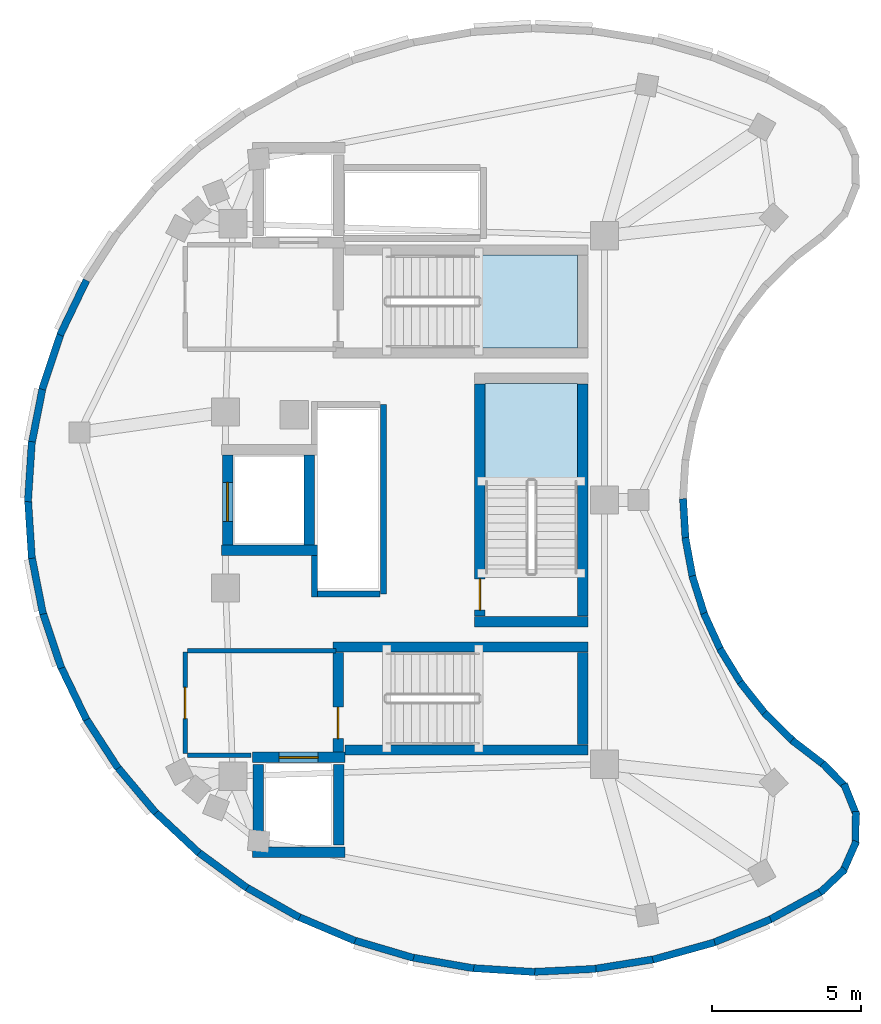
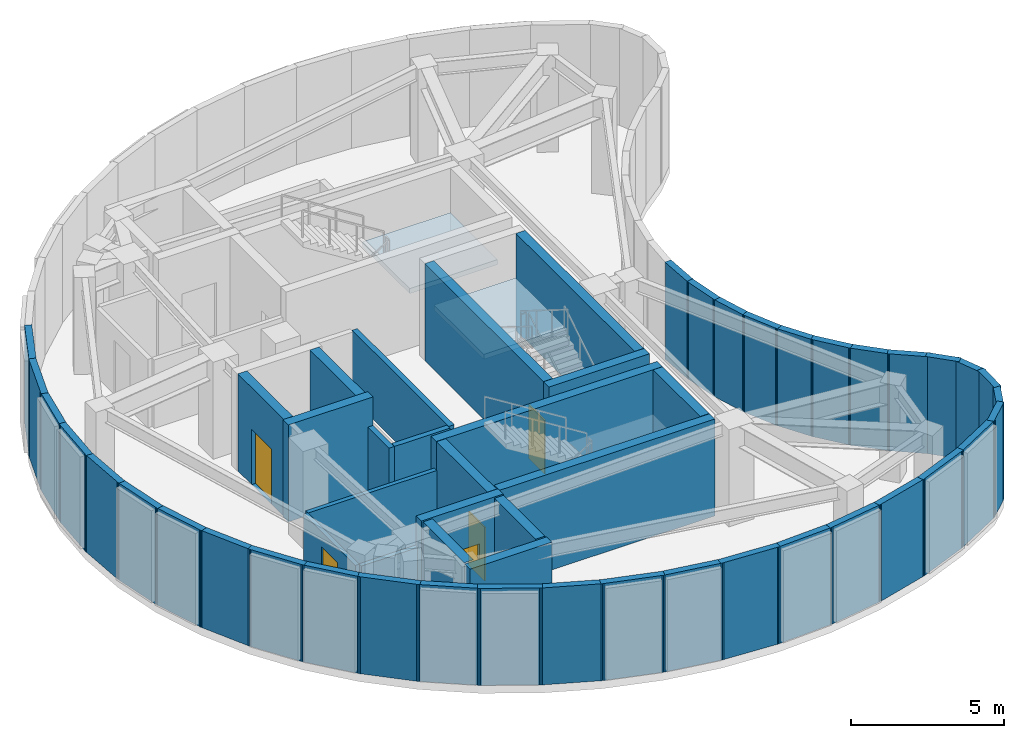
# One storey, part 2 of 5: 55 walls, 5 doors, 2 slabs, 5 openings, 2 elements without a shape of their own.
"""IFC4 building model written with IfcOpenShell, lengths in metres."""

from ifc_helpers import new_model, si_unit, direction, frame, frame_2d, origin, place, context, subcontext, project, spatial, polyline, rectangle, outline, extrude, material, layer, layer_set, type_object, element, fill, aggregate, save


model = new_model("IFC4")

# Units and contexts
model_context = context("Model", 3, precision=1e-05, world=origin(), true_north=direction((0.0, 1.0)))
body_context = subcontext(model_context, "Body", "Model", "MODEL_VIEW")
ifc_project = project(units=[si_unit("LENGTHUNIT", "METRE"), si_unit("AREAUNIT", "SQUARE_METRE"), si_unit("VOLUMEUNIT", "CUBIC_METRE"), si_unit("PLANEANGLEUNIT", "RADIAN"), si_unit("MASSUNIT", "GRAM", prefix="KILO")], contexts=[model_context])

# Site, building, storey
site_placement = place(None, origin())
site = spatial("IfcSite", under=ifc_project, at=site_placement, CompositionType="ELEMENT")
building_placement = place(site_placement, origin())
building = spatial("IfcBuilding", under=site, at=building_placement, Name="Korentha Bioscience Tower", CompositionType="ELEMENT")
storey_placement = place(building_placement, frame((0.0, 0.0, 335.39990234375)))
storey = spatial("IfcBuildingStorey", under=building, at=storey_placement, Name="L77", CompositionType="ELEMENT", Elevation=335.39990234375)

# Stair, slab
ifc_material_1 = material(Name="Precast Concrete C50", Category="concrete")
stair_type = type_object("IfcStairType", Name="Core Exit Dog-Leg Stair 1450", PredefinedType="HALF_TURN_STAIR", material=ifc_material_1)
stair_1_placement = place(storey_placement, origin())
stair_1 = element("IfcStair", 1, at=stair_1_placement, inside=storey, type_object=stair_type, Name="L77 Tower North Pressurized Exit Stair ST-1", PredefinedType="HALF_TURN_STAIR")
ifc_material_2 = material(Name="Concrete C50", Category="concrete")
ifc_layer_1 = layer(ifc_material_2, 0.199951171875, Name="Concrete C50")
ifc_layer_set_1 = layer_set([ifc_layer_1], Name="Concrete C50 (SL-LND)")
slab_type = type_object("IfcSlabType", Name="Landing Slab 200", PredefinedType="LANDING", material=ifc_layer_set_1)
slab_1_placement = place(storey_placement, frame((0.0, 0.0, 1.900146484375)))
slab_1 = element("IfcSlab", 2, at=slab_1_placement, type_object=slab_type, Name="ST-1 landing 1", PredefinedType="LANDING", context=body_context, shape_type="SweptSolid", body=[
    extrude(outline(polyline([(33.330078125, 32.10009765625), (36.64990234375, 32.10009765625), (36.64990234375, 35.199951171875), (33.330078125, 35.199951171875), (33.330078125, 32.10009765625)])), origin(), (0.0, 0.0, 1.0), 0.199951171875),
])
aggregate(stair_1, [slab_1])

stair_2_placement = place(storey_placement, origin())
stair_2 = element("IfcStair", 3, at=stair_2_placement, inside=storey, type_object=stair_type, Name="L77 Tower Central Pressurized Exit Stair ST-3", PredefinedType="HALF_TURN_STAIR")
slab_2_placement = place(storey_placement, frame((0.0, 0.0, 1.900146484375)))
slab_2 = element("IfcSlab", 4, at=slab_2_placement, type_object=slab_type, Name="ST-3 landing 1", PredefinedType="LANDING", context=body_context, shape_type="SweptSolid", body=[
    extrude(outline(polyline([(36.64990234375, 27.6298828125), (36.64990234375, 30.89990234375), (33.550048828125, 30.89990234375), (33.550048828125, 27.6298828125), (36.64990234375, 27.6298828125)])), origin(), (0.0, 0.0, 1.0), 0.199951171875),
])
aggregate(stair_2, [slab_2])

# Wall, opening, door
ifc_material_3 = material(Name="Gypsum-Clad Steel Stud", Category="steel")
ifc_layer_2 = layer(ifc_material_3, 0.159912109375, Name="Gypsum-Clad Steel Stud")
ifc_layer_set_2 = layer_set([ifc_layer_2], Name="Gypsum-Clad Steel Stud (IW-C160)")
wall_type_1 = type_object("IfcWallType", Name="Fire-Rated Corridor Partition Wall 160", PredefinedType="PARTITIONING", material=ifc_layer_set_2)
wall_1_placement = place(storey_placement, frame((23.5, 18.5, 0.0), z_axis=(0.0, 0.0, 1.0), x_axis=(0.0, 1.0, 0.0)))
wall_1 = element("IfcWall", 5, at=wall_1_placement, inside=storey, type_object=wall_type_1, Name="L77 FFLS-CW Rated Enclosure Wall", PredefinedType="PARTITIONING", context=body_context, shape_type="SweptSolid", body=[
    extrude(rectangle(XDim=3.39990234375, YDim=0.159912109375, at=frame_2d((1.699951171875, 0.0))), origin(), (0.0, 0.0, 1.0), 2.739990234375),
])
opening_1_placement = place(wall_1_placement, frame((1.175048828125, 0.0, 0.0)))
opening_1 = element("IfcOpeningElement", 6, at=opening_1_placement, cuts=wall_1, Name="Opening FD-90R", PredefinedType="OPENING", context=body_context, shape_type="SweptSolid", body=[
    extrude(rectangle(XDim=1.050048828125, YDim=2.14990234375, at=frame_2d((0.52490234375, 1.074951171875))), frame((0.0, 0.0947265625, 0.0), z_axis=(0.0, -1.0, 0.0), x_axis=(1.0, 0.0, 0.0)), (0.0, 0.0, 1.0), 0.189697265625),
])
ifc_material_4 = material(Name="Powder-Coated Fire-Rated Steel", Category="steel")
door_type_1 = type_object("IfcDoorType", Name="Stairwell Fire Exit Door 1050x2150 Right", OperationType="SINGLE_SWING_RIGHT", PredefinedType="DOOR", material=ifc_material_4)
door_1_placement = place(opening_1_placement, origin())
door_1 = element("IfcDoor", 7, at=door_1_placement, inside=storey, type_object=door_type_1, Name="L77 South Firefighting Lobby Door", OperationType="SINGLE_SWING_RIGHT", OverallHeight=2.14990234375, OverallWidth=1.050048828125, PredefinedType="DOOR", context=body_context, shape_type="SweptSolid", body=[
    extrude(rectangle(XDim=1.050048828125, YDim=2.14990234375, at=frame_2d((0.52490234375, 1.074951171875))), frame((0.0, 0.02490234375, 0.0), z_axis=(0.0, -1.0, 0.0), x_axis=(1.0, 0.0, 0.0)), (0.0, 0.0, 1.0), 0.050048828125),
])
fill(opening_1, door_1)

# Walls
wall_2_placement = place(storey_placement, frame((23.580078125, 21.949951171875, 0.0), z_axis=(0.0, 0.0, 1.0), x_axis=(1.0, 0.0, 0.0)))
element("IfcWall", 8, at=wall_2_placement, inside=storey, type_object=wall_type_1, Name="L77 Firefighting Lobby Return Wall FFLS-N", PredefinedType="PARTITIONING", context=body_context, shape_type="SweptSolid", body=[
    extrude(rectangle(XDim=4.969970703125, YDim=0.159912109375, at=frame_2d((2.48486328125, 0.0))), origin(), (0.0, 0.0, 1.0), 2.739990234375),
])
wall_3_placement = place(storey_placement, frame((23.580078125, 18.449951171875, 0.0), z_axis=(0.0, 0.0, 1.0), x_axis=(1.0, 0.0, 0.0)))
element("IfcWall", 9, at=wall_3_placement, inside=storey, type_object=wall_type_1, Name="L77 Firefighting Lobby Return Wall FFLS-S", PredefinedType="PARTITIONING", context=body_context, shape_type="SweptSolid", body=[
    extrude(rectangle(XDim=2.119873046875, YDim=0.159912109375, at=frame_2d((1.06005859375, 0.0))), origin(), (0.0, 0.0, 1.0), 2.739990234375),
])
ifc_material_5 = material(Name="Autoclaved Aerated Concrete Block C25", Category="concrete")
ifc_layer_3 = layer(ifc_material_5, 0.199951171875, Name="Autoclaved Aerated Concrete Block C25")
ifc_layer_set_3 = layer_set([ifc_layer_3], Name="Autoclaved Aerated Concrete Block C25 (IW-S200)")
wall_type_2 = type_object("IfcWallType", Name="Lift and Riser Shaft Enclosure Wall 200", PredefinedType="PARTITIONING", material=ifc_layer_set_3)
wall_4_placement = place(storey_placement, frame((27.830078125, 23.75, 0.0), z_axis=(0.0, 0.0, 1.0), x_axis=(0.0, 1.0, 0.0)))
element("IfcWall", 10, at=wall_4_placement, inside=storey, type_object=wall_type_2, Name="L77 Lift Bank HIGH Shaft Wall -XS", PredefinedType="PARTITIONING", context=body_context, shape_type="SweptSolid", body=[
    extrude(rectangle(XDim=1.39111328125, YDim=0.199951171875, at=frame_2d((0.695556640625, 0.0))), origin(), (0.0, 0.0, 1.0), 2.739990234375),
])
wall_5_placement = place(storey_placement, frame((30.14990234375, 23.85009765625, 0.0), z_axis=(0.0, 0.0, 1.0), x_axis=(0.0, 1.0, 0.0)))
element("IfcWall", 11, at=wall_5_placement, inside=storey, type_object=wall_type_2, Name="L77 Lift Bank HIGH Shaft Wall +X", PredefinedType="PARTITIONING", context=body_context, shape_type="SweptSolid", body=[
    extrude(rectangle(XDim=6.349853515625, YDim=0.199951171875, at=frame_2d((3.1748046875, 0.0))), origin(), (0.0, 0.0, 1.0), 2.739990234375),
])
wall_6_placement = place(storey_placement, frame((27.93408203125, 23.85009765625, 0.0), z_axis=(0.0, 0.0, 1.0), x_axis=(1.0, 0.0, 0.0)))
element("IfcWall", 12, at=wall_6_placement, inside=storey, type_object=wall_type_2, Name="L77 Lift Bank HIGH Shaft Wall -Y", PredefinedType="PARTITIONING", context=body_context, shape_type="SweptSolid", body=[
    extrude(rectangle(XDim=2.095947265625, YDim=0.199951171875, at=frame_2d((1.0478515625, 0.0))), origin(), (0.0, 0.0, 1.0), 2.739990234375),
])
ifc_material_6 = material(Name="Insulated Precast Concrete C40", Category="concrete")
ifc_layer_4 = layer(ifc_material_6, 0.239990234375, Name="Insulated Precast Concrete C40")
ifc_layer_set_4 = layer_set([ifc_layer_4], Name="Insulated Precast Concrete C40 (EW-PL240)")
wall_type_3 = type_object("IfcWallType", Name="Plant Acoustic Louvre Backup Wall 240", PredefinedType="STANDARD", material=ifc_layer_set_4)
wall_7_placement = place(storey_placement, frame((20.193603515625, 34.3623046875, 0.0), z_axis=(0.0, 0.0, 1.0), x_axis=(-0.43443443496, -0.90070345937, 0.0)))
element("IfcWall", 13, at=wall_7_placement, inside=storey, type_object=wall_type_3, Name="L77 Plant Louvre Backup Wall 15", PredefinedType="STANDARD", context=body_context, shape_type="SweptSolid", body=[
    extrude(rectangle(XDim=2.0400390625, YDim=0.239990234375, at=frame_2d((1.02001953125, 0.0))), origin(), (0.0, 0.0, 1.0), 3.880126953125),
])
wall_8_placement = place(storey_placement, frame((19.3505859375, 32.631591796875, 0.0), z_axis=(0.0, 0.0, 1.0), x_axis=(-0.31687782103, -0.948466365529, 0.0)))
element("IfcWall", 14, at=wall_8_placement, inside=storey, type_object=wall_type_3, Name="L77 Plant Louvre Backup Wall 16", PredefinedType="STANDARD", context=body_context, shape_type="SweptSolid", body=[
    extrude(rectangle(XDim=2.02783203125, YDim=0.239990234375, at=frame_2d((1.013916015625, 0.0))), origin(), (0.0, 0.0, 1.0), 3.880126953125),
])
wall_9_placement = place(storey_placement, frame((18.737548828125, 30.819580078125, 0.0), z_axis=(0.0, 0.0, 1.0), x_axis=(-0.19285964679, -0.981226353417, 0.0)))
element("IfcWall", 15, at=wall_9_placement, inside=storey, type_object=wall_type_3, Name="L77 Plant Louvre Backup Wall 17", PredefinedType="STANDARD", context=body_context, shape_type="SweptSolid", body=[
    extrude(rectangle(XDim=2.01904296875, YDim=0.239990234375, at=frame_2d((1.009521484375, 0.0))), origin(), (0.0, 0.0, 1.0), 3.880126953125),
])
for number, where, z_axis, x_axis, name in (
    (16, (18.363037109375, 28.952880859375, 0.0), (0.0, 0.0, 1.0), (-0.064829937448, -0.997896326885, 0.0), "L77 Plant Louvre Backup Wall 18"),
    (17, (18.232421875, 27.0576171875, 0.0), (0.0, 0.0, 1.0), (0.064829937448, -0.997896326885, 0.0), "L77 Plant Louvre Backup Wall 19"),
):
    element("IfcWall", number, at=place(storey_placement, frame(where, z_axis=z_axis, x_axis=x_axis)), inside=storey, type_object=wall_type_3, Name=name, PredefinedType="STANDARD", context=body_context, shape_type="SweptSolid", body=[
        extrude(rectangle(XDim=2.0146484375, YDim=0.239990234375, at=frame_2d((1.00732421875, 0.0))), origin(), (0.0, 0.0, 1.0), 3.880126953125),
    ])
wall_10_placement = place(storey_placement, frame((18.34814453125, 25.16162109375, 0.0), z_axis=(0.0, 0.0, 1.0), x_axis=(0.19285964679, -0.981226353417, 0.0)))
element("IfcWall", 18, at=wall_10_placement, inside=storey, type_object=wall_type_3, Name="L77 Plant Louvre Backup Wall 20", PredefinedType="STANDARD", context=body_context, shape_type="SweptSolid", body=[
    extrude(rectangle(XDim=2.01904296875, YDim=0.239990234375, at=frame_2d((1.009521484375, 0.0))), origin(), (0.0, 0.0, 1.0), 3.880126953125),
])
wall_11_placement = place(storey_placement, frame((18.7080078125, 23.291748046875, 0.0), z_axis=(0.0, 0.0, 1.0), x_axis=(0.31687782103, -0.948466365529, 0.0)))
element("IfcWall", 19, at=wall_11_placement, inside=storey, type_object=wall_type_3, Name="L77 Plant Louvre Backup Wall 21", PredefinedType="STANDARD", context=body_context, shape_type="SweptSolid", body=[
    extrude(rectangle(XDim=2.02783203125, YDim=0.239990234375, at=frame_2d((1.013916015625, 0.0))), origin(), (0.0, 0.0, 1.0), 3.880126953125),
])
wall_12_placement = place(storey_placement, frame((19.307373046875, 21.47509765625, 0.0), z_axis=(0.0, 0.0, 1.0), x_axis=(0.43443443496, -0.90070345937, 0.0)))
element("IfcWall", 20, at=wall_12_placement, inside=storey, type_object=wall_type_3, Name="L77 Plant Louvre Backup Wall 22", PredefinedType="STANDARD", context=body_context, shape_type="SweptSolid", body=[
    extrude(rectangle(XDim=2.0400390625, YDim=0.239990234375, at=frame_2d((1.02001953125, 0.0))), origin(), (0.0, 0.0, 1.0), 3.880126953125),
])
wall_13_placement = place(storey_placement, frame((20.137451171875, 19.73779296875, 0.0), z_axis=(0.0, 0.0, 1.0), x_axis=(0.54368472545, -0.839289532469, 0.0)))
element("IfcWall", 21, at=wall_13_placement, inside=storey, type_object=wall_type_3, Name="L77 Plant Louvre Backup Wall 23", PredefinedType="STANDARD", context=body_context, shape_type="SweptSolid", body=[
    extrude(rectangle(XDim=2.054931640625, YDim=0.239990234375, at=frame_2d((1.02734375, 0.0))), origin(), (0.0, 0.0, 1.0), 3.880126953125),
])
wall_14_placement = place(storey_placement, frame((21.1865234375, 18.105224609375, 0.0), z_axis=(0.0, 0.0, 1.0), x_axis=(0.642719373216, -0.766101695137, 0.0)))
element("IfcWall", 22, at=wall_14_placement, inside=storey, type_object=wall_type_3, Name="L77 Plant Louvre Backup Wall 24", PredefinedType="STANDARD", context=body_context, shape_type="SweptSolid", body=[
    extrude(rectangle(XDim=2.07177734375, YDim=0.239990234375, at=frame_2d((1.035888671875, 0.0))), origin(), (0.0, 0.0, 1.0), 3.880126953125),
])
wall_15_placement = place(storey_placement, frame((22.439208984375, 16.60107421875, 0.0), z_axis=(0.0, 0.0, 1.0), x_axis=(0.730538342308, -0.68287167932, 0.0)))
element("IfcWall", 23, at=wall_15_placement, inside=storey, type_object=wall_type_3, Name="L77 Plant Louvre Backup Wall 25", PredefinedType="STANDARD", context=body_context, shape_type="SweptSolid", body=[
    extrude(rectangle(XDim=2.089599609375, YDim=0.239990234375, at=frame_2d((1.044921875, 0.0))), origin(), (0.0, 0.0, 1.0), 3.880126953125),
])
wall_16_placement = place(storey_placement, frame((23.8779296875, 15.246826171875, 0.0), z_axis=(0.0, 0.0, 1.0), x_axis=(0.806349743637, -0.591439000182, 0.0)))
element("IfcWall", 24, at=wall_16_placement, inside=storey, type_object=wall_type_3, Name="L77 Plant Louvre Backup Wall 26", PredefinedType="STANDARD", context=body_context, shape_type="SweptSolid", body=[
    extrude(rectangle(XDim=2.107177734375, YDim=0.239990234375, at=frame_2d((1.0537109375, 0.0))), origin(), (0.0, 0.0, 1.0), 3.880126953125),
])
wall_17_placement = place(storey_placement, frame((25.4814453125, 14.062255859375, 0.0), z_axis=(0.0, 0.0, 1.0), x_axis=(0.869823249447, -0.493363471207, 0.0)))
element("IfcWall", 25, at=wall_17_placement, inside=storey, type_object=wall_type_3, Name="L77 Plant Louvre Backup Wall 27", PredefinedType="STANDARD", context=body_context, shape_type="SweptSolid", body=[
    extrude(rectangle(XDim=2.123779296875, YDim=0.239990234375, at=frame_2d((1.06201171875, 0.0))), origin(), (0.0, 0.0, 1.0), 3.880126953125),
])
wall_18_placement = place(storey_placement, frame((27.22705078125, 13.064697265625, 0.0), z_axis=(0.0, 0.0, 1.0), x_axis=(0.920708614344, -0.390250749483, 0.0)))
element("IfcWall", 26, at=wall_18_placement, inside=storey, type_object=wall_type_3, Name="L77 Plant Louvre Backup Wall 28", PredefinedType="STANDARD", context=body_context, shape_type="SweptSolid", body=[
    extrude(rectangle(XDim=2.13818359375, YDim=0.239990234375, at=frame_2d((1.069091796875, 0.0))), origin(), (0.0, 0.0, 1.0), 3.880126953125),
])
wall_19_placement = place(storey_placement, frame((29.089111328125, 12.268310546875, 0.0), z_axis=(0.0, 0.0, 1.0), x_axis=(0.959030329597, -0.283303418464, 0.0)))
element("IfcWall", 27, at=wall_19_placement, inside=storey, type_object=wall_type_3, Name="L77 Plant Louvre Backup Wall 29", PredefinedType="STANDARD", context=body_context, shape_type="SweptSolid", body=[
    extrude(rectangle(XDim=2.150146484375, YDim=0.239990234375, at=frame_2d((1.0751953125, 0.0))), origin(), (0.0, 0.0, 1.0), 3.880126953125),
])
wall_20_placement = place(storey_placement, frame((31.040771484375, 11.685302734375, 0.0), z_axis=(0.0, 0.0, 1.0), x_axis=(0.98475165837, -0.173966006268, 0.0)))
element("IfcWall", 28, at=wall_20_placement, inside=storey, type_object=wall_type_3, Name="L77 Plant Louvre Backup Wall 30", PredefinedType="STANDARD", context=body_context, shape_type="SweptSolid", body=[
    extrude(rectangle(XDim=2.158447265625, YDim=0.239990234375, at=frame_2d((1.0791015625, 0.0))), origin(), (0.0, 0.0, 1.0), 3.880126953125),
])
wall_21_placement = place(storey_placement, frame((33.0537109375, 11.3232421875, 0.0), z_axis=(0.0, 0.0, 1.0), x_axis=(0.998014625109, -0.062982601313, 0.0)))
element("IfcWall", 29, at=wall_21_placement, inside=storey, type_object=wall_type_3, Name="L77 Plant Louvre Backup Wall 31", PredefinedType="STANDARD", context=body_context, shape_type="SweptSolid", body=[
    extrude(rectangle(XDim=2.1630859375, YDim=0.239990234375, at=frame_2d((1.08154296875, 0.0))), origin(), (0.0, 0.0, 1.0), 3.880126953125),
])
wall_22_placement = place(storey_placement, frame((35.09912109375, 11.18798828125, 0.0), z_axis=(0.0, 0.0, 1.0), x_axis=(0.998821443964, 0.048535791717, 0.0)))
element("IfcWall", 30, at=wall_22_placement, inside=storey, type_object=wall_type_3, Name="L77 Plant Louvre Backup Wall 32", PredefinedType="STANDARD", context=body_context, shape_type="SweptSolid", body=[
    extrude(rectangle(XDim=2.162841796875, YDim=0.239990234375, at=frame_2d((1.08154296875, 0.0))), origin(), (0.0, 0.0, 1.0), 3.880126953125),
])
wall_23_placement = place(storey_placement, frame((37.14697265625, 11.28125, 0.0), z_axis=(0.0, 0.0, 1.0), x_axis=(0.987188885728, 0.159555958507, 0.0)))
element("IfcWall", 31, at=wall_23_placement, inside=storey, type_object=wall_type_3, Name="L77 Plant Louvre Backup Wall 33", PredefinedType="STANDARD", context=body_context, shape_type="SweptSolid", body=[
    extrude(rectangle(XDim=2.158935546875, YDim=0.239990234375, at=frame_2d((1.07958984375, 0.0))), origin(), (0.0, 0.0, 1.0), 3.880126953125),
])
wall_24_placement = place(storey_placement, frame((39.16748046875, 11.6015625, 0.0), z_axis=(0.0, 0.0, 1.0), x_axis=(0.963062950867, 0.269276349995, 0.0)))
element("IfcWall", 32, at=wall_24_placement, inside=storey, type_object=wall_type_3, Name="L77 Plant Louvre Backup Wall 34", PredefinedType="STANDARD", context=body_context, shape_type="SweptSolid", body=[
    extrude(rectangle(XDim=2.151611328125, YDim=0.239990234375, at=frame_2d((1.07568359375, 0.0))), origin(), (0.0, 0.0, 1.0), 3.880126953125),
])
wall_25_placement = place(storey_placement, frame((41.132080078125, 12.144287109375, 0.0), z_axis=(0.0, 0.0, 1.0), x_axis=(0.926393219555, 0.376557568988, 0.0)))
element("IfcWall", 33, at=wall_25_placement, inside=storey, type_object=wall_type_3, Name="L77 Plant Louvre Backup Wall 35", PredefinedType="STANDARD", context=body_context, shape_type="SweptSolid", body=[
    extrude(rectangle(XDim=2.14013671875, YDim=0.239990234375, at=frame_2d((1.070068359375, 0.0))), origin(), (0.0, 0.0, 1.0), 3.880126953125),
])
wall_26_placement = place(storey_placement, frame((43.01220703125, 12.901611328125, 0.0), z_axis=(0.0, 0.0, 1.0), x_axis=(0.877104331714, 0.480299897241, 0.0)))
element("IfcWall", 34, at=wall_26_placement, inside=storey, type_object=wall_type_3, Name="L77 Plant Louvre Backup Wall 36", PredefinedType="STANDARD", context=body_context, shape_type="SweptSolid", body=[
    extrude(rectangle(XDim=2.125732421875, YDim=0.239990234375, at=frame_2d((1.06298828125, 0.0))), origin(), (0.0, 0.0, 1.0), 3.880126953125),
])
wall_27_placement = place(storey_placement, frame((44.771728515625, 13.84619140625, 0.0), z_axis=(0.0, 0.0, 1.0), x_axis=(0.726131874639, 0.68755545277, 0.0)))
element("IfcWall", 35, at=wall_27_placement, inside=storey, type_object=wall_type_3, Name="L77 Plant Louvre Backup Wall 37", PredefinedType="STANDARD", context=body_context, shape_type="SweptSolid", body=[
    extrude(rectangle(XDim=1.1455078125, YDim=0.239990234375, at=frame_2d((0.57275390625, 0.0))), origin(), (0.0, 0.0, 1.0), 3.880126953125),
])
for number, where, z_axis, x_axis, name in (
    (36, (45.519775390625, 14.514892578125, 0.0), (0.0, 0.0, 1.0), (0.40313130284, 0.915142148888, 0.0), "L77 Plant Louvre Backup Wall 38"),
    (37, (45.95068359375, 15.42138671875, 0.0), (0.0, 0.0, 1.0), (0.017047820552, 0.999854675348, 0.0), "L77 Plant Louvre Backup Wall 39"),
):
    element("IfcWall", number, at=place(storey_placement, frame(where, z_axis=z_axis, x_axis=x_axis)), inside=storey, type_object=wall_type_3, Name=name, PredefinedType="STANDARD", context=body_context, shape_type="SweptSolid", body=[
        extrude(rectangle(XDim=1.145751953125, YDim=0.239990234375, at=frame_2d((0.57275390625, 0.0))), origin(), (0.0, 0.0, 1.0), 3.880126953125),
    ])
for number, where, z_axis, x_axis, name in (
    (38, (45.99658203125, 16.423828125, 0.0), (0.0, 0.0, 1.0), (-0.371684619002, 0.928359059846, 0.0), "L77 Plant Louvre Backup Wall 40"),
    (39, (45.650390625, 17.36572265625, 0.0), (0.0, 0.0, 1.0), (-0.702188326868, 0.711991259504, 0.0), "L77 Plant Louvre Backup Wall 41"),
):
    element("IfcWall", number, at=place(storey_placement, frame(where, z_axis=z_axis, x_axis=x_axis)), inside=storey, type_object=wall_type_3, Name=name, PredefinedType="STANDARD", context=body_context, shape_type="SweptSolid", body=[
        extrude(rectangle(XDim=1.1455078125, YDim=0.239990234375, at=frame_2d((0.57275390625, 0.0))), origin(), (0.0, 0.0, 1.0), 3.880126953125),
    ])
for number, where, z_axis, x_axis, name in (
    (40, (44.93310546875, 18.1044921875, 0.0), (0.0, 0.0, 1.0), (-0.793340854113, 0.608777700967, 0.0), "L77 Plant Louvre Backup Wall 42"),
    (41, (43.8935546875, 18.895751953125, 0.0), (0.0, 0.0, 1.0), (-0.713307196779, 0.700851512821, 0.0), "L77 Plant Louvre Backup Wall 43"),
    (42, (42.957763671875, 19.807861328125, 0.0), (0.0, 0.0, 1.0), (-0.622467396211, 0.782645731257, 0.0), "L77 Plant Louvre Backup Wall 44"),
    (43, (42.140380859375, 20.8271484375, 0.0), (0.0, 0.0, 1.0), (-0.522471546172, 0.85265672075, 0.0), "L77 Plant Louvre Backup Wall 45"),
    (44, (41.453125, 21.9384765625, 0.0), (0.0, 0.0, 1.0), (-0.41456945509, 0.910017673953, 0.0), "L77 Plant Louvre Backup Wall 46"),
    (45, (40.90673828125, 23.125244140625, 0.0), (0.0, 0.0, 1.0), (-0.300711509851, 0.953715150264, 0.0), "L77 Plant Louvre Backup Wall 47"),
):
    element("IfcWall", number, at=place(storey_placement, frame(where, z_axis=z_axis, x_axis=x_axis)), inside=storey, type_object=wall_type_3, Name=name, PredefinedType="STANDARD", context=body_context, shape_type="SweptSolid", body=[
        extrude(rectangle(XDim=1.3916015625, YDim=0.239990234375, at=frame_2d((0.69580078125, 0.0))), origin(), (0.0, 0.0, 1.0), 3.880126953125),
    ])
wall_28_placement = place(storey_placement, frame((40.5087890625, 24.369873046875, 0.0), z_axis=(0.0, 0.0, 1.0), x_axis=(-0.182126958243, 0.983275023115, 0.0)))
element("IfcWall", 46, at=wall_28_placement, inside=storey, type_object=wall_type_3, Name="L77 Plant Louvre Backup Wall 48", PredefinedType="STANDARD", context=body_context, shape_type="SweptSolid", body=[
    extrude(rectangle(XDim=1.391357421875, YDim=0.239990234375, at=frame_2d((0.69580078125, 0.0))), origin(), (0.0, 0.0, 1.0), 3.880126953125),
])
wall_29_placement = place(storey_placement, frame((40.265625, 25.653564453125, 0.0), z_axis=(0.0, 0.0, 1.0), x_axis=(-0.061056554622, 0.998134308166, 0.0)))
element("IfcWall", 47, at=wall_29_placement, inside=storey, type_object=wall_type_3, Name="L77 Plant Louvre Backup Wall 49", PredefinedType="STANDARD", context=body_context, shape_type="SweptSolid", body=[
    extrude(rectangle(XDim=1.3916015625, YDim=0.239990234375, at=frame_2d((0.69580078125, 0.0))), origin(), (0.0, 0.0, 1.0), 3.880126953125),
])
ifc_layer_5 = layer(ifc_material_2, 0.35009765625, Name="Concrete C50")
ifc_layer_set_5 = layer_set([ifc_layer_5], Name="Concrete C50 (CW-C50)")
wall_type_4 = type_object("IfcWallType", Name="Upper Core Shear Wall 350", PredefinedType="SHEAR", material=ifc_layer_set_5)
wall_30_placement = place(storey_placement, frame((28.85205078125, 18.625, 0.0), z_axis=(0.0, 0.0, 1.0), x_axis=(1.0, 0.0, 0.0)))
element("IfcWall", 48, at=wall_30_placement, inside=storey, type_object=wall_type_4, Name="L77 Core Shear Wall ST2-S", PredefinedType="SHEAR", context=body_context, shape_type="SweptSolid", body=[
    extrude(rectangle(XDim=8.14794921875, YDim=0.35009765625, at=frame_2d((4.073974609375, 0.0))), origin(), (0.0, 0.0, 1.0), 3.880126953125),
])
wall_31_placement = place(storey_placement, frame((28.449951171875, 22.074951171875, 0.0), z_axis=(0.0, 0.0, 1.0), x_axis=(1.0, 0.0, 0.0)))
element("IfcWall", 49, at=wall_31_placement, inside=storey, type_object=wall_type_4, Name="L77 Core Shear Wall ST2-N", PredefinedType="SHEAR", context=body_context, shape_type="SweptSolid", body=[
    extrude(rectangle(XDim=8.550048828125, YDim=0.35009765625, at=frame_2d((4.27490234375, 0.0))), origin(), (0.0, 0.0, 1.0), 3.880126953125),
])
wall_32_placement = place(storey_placement, frame((36.824951171875, 18.81005859375, 0.0), z_axis=(0.0, 0.0, 1.0), x_axis=(0.0, 1.0, 0.0)))
element("IfcWall", 50, at=wall_32_placement, inside=storey, type_object=wall_type_4, Name="L77 Core Shear Wall ST2-E", PredefinedType="SHEAR", context=body_context, shape_type="SweptSolid", body=[
    extrude(rectangle(XDim=3.079833984375, YDim=0.35009765625, at=frame_2d((1.5400390625, 0.0))), origin(), (0.0, 0.0, 1.0), 3.880126953125),
])

# Wall, opening, door
wall_33_placement = place(storey_placement, frame((28.625, 18.556884765625, 0.0), z_axis=(0.0, 0.0, 1.0), x_axis=(0.0, 1.0, 0.0)))
wall_33 = element("IfcWall", 51, at=wall_33_placement, inside=storey, type_object=wall_type_4, Name="L77 Core Shear Wall ST2-W", PredefinedType="SHEAR", context=body_context, shape_type="SweptSolid", body=[
    extrude(rectangle(XDim=3.3330078125, YDim=0.35009765625, at=frame_2d((1.66650390625, 0.0))), origin(), (0.0, 0.0, 1.0), 3.880126953125),
])
opening_2_placement = place(wall_33_placement, frame((0.452880859375, 0.0, 0.0)))
opening_2 = element("IfcOpeningElement", 52, at=opening_2_placement, cuts=wall_33, Name="Opening FD-90R", PredefinedType="OPENING", context=body_context, shape_type="SweptSolid", body=[
    extrude(rectangle(XDim=1.050048828125, YDim=2.14990234375, at=frame_2d((0.52490234375, 1.074951171875))), frame((0.0, 0.18994140625, 0.0), z_axis=(0.0, -1.0, 0.0), x_axis=(1.0, 0.0, 0.0)), (0.0, 0.0, 1.0), 0.3798828125),
])
door_2_placement = place(opening_2_placement, origin())
door_2 = element("IfcDoor", 53, at=door_2_placement, inside=storey, type_object=door_type_1, Name="L77 ST-2 Fire Exit Stair Door", OperationType="SINGLE_SWING_RIGHT", OverallHeight=2.14990234375, OverallWidth=1.050048828125, PredefinedType="DOOR", context=body_context, shape_type="SweptSolid", body=[
    extrude(rectangle(XDim=1.050048828125, YDim=2.14990234375, at=frame_2d((0.52490234375, 1.074951171875))), frame((0.0, 0.02490234375, 0.0), z_axis=(0.0, -1.0, 0.0), x_axis=(1.0, 0.0, 0.0)), (0.0, 0.0, 1.0), 0.050048828125),
])
fill(opening_2, door_2)

# Walls
wall_34_placement = place(storey_placement, frame((33.199951171875, 22.925048828125, 0.0), z_axis=(0.0, 0.0, 1.0), x_axis=(1.0, 0.0, 0.0)))
element("IfcWall", 54, at=wall_34_placement, inside=storey, type_object=wall_type_4, Name="L77 Core Shear Wall ST3-S", PredefinedType="SHEAR", context=body_context, shape_type="SweptSolid", body=[
    extrude(rectangle(XDim=3.800048828125, YDim=0.35009765625, at=frame_2d((1.89990234375, 0.0))), origin(), (0.0, 0.0, 1.0), 3.880126953125),
])
wall_35_placement = place(storey_placement, frame((36.824951171875, 23.110107421875, 0.0), z_axis=(0.0, 0.0, 1.0), x_axis=(0.0, 1.0, 0.0)))
element("IfcWall", 55, at=wall_35_placement, inside=storey, type_object=wall_type_4, Name="L77 Core Shear Wall ST3-E", PredefinedType="SHEAR", context=body_context, shape_type="SweptSolid", body=[
    extrude(rectangle(XDim=7.77978515625, YDim=0.35009765625, at=frame_2d((3.889892578125, 0.0))), origin(), (0.0, 0.0, 1.0), 3.880126953125),
])

# Wall, opening, door
wall_36_placement = place(storey_placement, frame((33.375, 23.110107421875, 0.0), z_axis=(0.0, 0.0, 1.0), x_axis=(0.0, 1.0, 0.0)))
wall_36 = element("IfcWall", 56, at=wall_36_placement, inside=storey, type_object=wall_type_4, Name="L77 Core Shear Wall ST3-W", PredefinedType="SHEAR", context=body_context, shape_type="SweptSolid", body=[
    extrude(rectangle(XDim=7.77978515625, YDim=0.35009765625, at=frame_2d((3.889892578125, 0.0))), origin(), (0.0, 0.0, 1.0), 3.880126953125),
])
opening_3_placement = place(wall_36_placement, frame((0.199951171875, 0.0, 0.0)))
opening_3 = element("IfcOpeningElement", 57, at=opening_3_placement, cuts=wall_36, Name="Opening FD-90R", PredefinedType="OPENING", context=body_context, shape_type="SweptSolid", body=[
    extrude(rectangle(XDim=1.050048828125, YDim=2.14990234375, at=frame_2d((0.52490234375, 1.074951171875))), frame((0.0, 0.18994140625, 0.0), z_axis=(0.0, -1.0, 0.0), x_axis=(1.0, 0.0, 0.0)), (0.0, 0.0, 1.0), 0.3798828125),
])
door_3_placement = place(opening_3_placement, origin())
door_3 = element("IfcDoor", 58, at=door_3_placement, inside=storey, type_object=door_type_1, Name="L77 ST-3 Fire Exit Stair Door", OperationType="SINGLE_SWING_RIGHT", OverallHeight=2.14990234375, OverallWidth=1.050048828125, PredefinedType="DOOR", context=body_context, shape_type="SweptSolid", body=[
    extrude(rectangle(XDim=1.050048828125, YDim=2.14990234375, at=frame_2d((0.52490234375, 1.074951171875))), frame((0.0, 0.02490234375, 0.0), z_axis=(0.0, -1.0, 0.0), x_axis=(1.0, 0.0, 0.0)), (0.0, 0.0, 1.0), 0.050048828125),
])
fill(opening_3, door_3)

# Wall
wall_37_placement = place(storey_placement, frame((25.75, 15.199951171875, 0.0), z_axis=(0.0, 0.0, 1.0), x_axis=(1.0, 0.0, 0.0)))
element("IfcWall", 59, at=wall_37_placement, inside=storey, type_object=wall_type_4, Name="L77 Core Shear Wall FFL1-S", PredefinedType="SHEAR", context=body_context, shape_type="SweptSolid", body=[
    extrude(rectangle(XDim=3.10009765625, YDim=0.35009765625, at=frame_2d((1.550048828125, 0.0))), origin(), (0.0, 0.0, 1.0), 3.880126953125),
])

# Wall, opening, door
wall_38_placement = place(storey_placement, frame((25.75, 18.3798828125, 0.0), z_axis=(0.0, 0.0, 1.0), x_axis=(1.0, 0.0, 0.0)))
wall_38 = element("IfcWall", 60, at=wall_38_placement, inside=storey, type_object=wall_type_4, Name="L77 Core Shear Wall FFL1-N", PredefinedType="SHEAR", context=body_context, shape_type="SweptSolid", body=[
    extrude(rectangle(XDim=3.10009765625, YDim=0.35009765625, at=frame_2d((1.550048828125, 0.0))), origin(), (0.0, 0.0, 1.0), 3.880126953125),
])
opening_4_placement = place(wall_38_placement, frame((0.89990234375, 0.0, 0.0)))
opening_4 = element("IfcOpeningElement", 61, at=opening_4_placement, cuts=wall_38, Name="Opening LD-13", PredefinedType="OPENING", context=body_context, shape_type="SweptSolid", body=[
    extrude(rectangle(XDim=1.300048828125, YDim=2.199951171875, at=frame_2d((0.64990234375, 1.10009765625))), frame((0.0, 0.18994140625, 0.0), z_axis=(0.0, -1.0, 0.0), x_axis=(1.0, 0.0, 0.0)), (0.0, 0.0, 1.0), 0.3798828125),
])
ifc_material_7 = material(Name="Brushed Stainless Steel 316", Category="steel")
door_type_2 = type_object("IfcDoorType", Name="Service & Firefighting Lift Landing Door 1300x2300", OperationType="DOUBLE_DOOR_SLIDING", PredefinedType="DOOR", material=ifc_material_7)
door_4_placement = place(opening_4_placement, origin())
door_4 = element("IfcDoor", 62, at=door_4_placement, inside=storey, type_object=door_type_2, Name="L77 FFL-1 Sliding Lift Landing Door", OperationType="DOUBLE_DOOR_SLIDING", OverallHeight=2.199951171875, OverallWidth=1.300048828125, PredefinedType="DOOR", context=body_context, shape_type="SweptSolid", body=[
    extrude(rectangle(XDim=1.300048828125, YDim=2.199951171875, at=frame_2d((0.64990234375, 1.10009765625))), frame((0.0, 0.02490234375, 0.0), z_axis=(0.0, -1.0, 0.0), x_axis=(1.0, 0.0, 0.0)), (0.0, 0.0, 1.0), 0.050048828125),
])
fill(opening_4, door_4)

# Walls
for number, where, z_axis, x_axis, name in (
    (63, (25.949951171875, 15.43994140625, 0.0), (0.0, 0.0, 1.0), (0.0, 1.0, 0.0), "L77 Core Shear Wall FFL1-W"),
    (64, (28.64990234375, 15.43994140625, 0.0), (0.0, 0.0, 1.0), (0.0, 1.0, 0.0), "L77 Core Shear Wall FFL1-E"),
):
    element("IfcWall", number, at=place(storey_placement, frame(where, z_axis=z_axis, x_axis=x_axis)), inside=storey, type_object=wall_type_4, Name=name, PredefinedType="SHEAR", context=body_context, shape_type="SweptSolid", body=[
        extrude(rectangle(XDim=2.699951171875, YDim=0.35009765625, at=frame_2d((1.35009765625, 0.0))), origin(), (0.0, 0.0, 1.0), 3.880126953125),
    ])
wall_39_placement = place(storey_placement, frame((24.719970703125, 25.320068359375, 0.0), z_axis=(0.0, 0.0, 1.0), x_axis=(1.0, 0.0, 0.0)))
element("IfcWall", 65, at=wall_39_placement, inside=storey, type_object=wall_type_4, Name="L77 Core Shear Wall SVL1-S", PredefinedType="SHEAR", context=body_context, shape_type="SweptSolid", body=[
    extrude(rectangle(XDim=3.2099609375, YDim=0.35009765625, at=frame_2d((1.60498046875, 0.0))), origin(), (0.0, 0.0, 1.0), 3.880126953125),
])

# Wall, opening, door
wall_40_placement = place(storey_placement, frame((24.919921875, 25.4970703125, 0.0), z_axis=(0.0, 0.0, 1.0), x_axis=(0.0, 1.0, 0.0)))
wall_40 = element("IfcWall", 66, at=wall_40_placement, inside=storey, type_object=wall_type_4, Name="L77 Core Shear Wall SVL1-W", PredefinedType="SHEAR", context=body_context, shape_type="SweptSolid", body=[
    extrude(rectangle(XDim=3.005859375, YDim=0.35009765625, at=frame_2d((1.5029296875, 0.0))), origin(), (0.0, 0.0, 1.0), 3.880126953125),
])
opening_5_placement = place(wall_40_placement, frame((0.7900390625, 0.0, 0.0)))
opening_5 = element("IfcOpeningElement", 67, at=opening_5_placement, cuts=wall_40, Name="Opening LD-13", PredefinedType="OPENING", context=body_context, shape_type="SweptSolid", body=[
    extrude(rectangle(XDim=1.300048828125, YDim=2.199951171875, at=frame_2d((0.64990234375, 1.10009765625))), frame((0.0, 0.18994140625, 0.0), z_axis=(0.0, -1.0, 0.0), x_axis=(1.0, 0.0, 0.0)), (0.0, 0.0, 1.0), 0.3798828125),
])
door_5_placement = place(opening_5_placement, origin())
door_5 = element("IfcDoor", 68, at=door_5_placement, inside=storey, type_object=door_type_2, Name="L77 SVL-1 Sliding Lift Landing Door", OperationType="DOUBLE_DOOR_SLIDING", OverallHeight=2.199951171875, OverallWidth=1.300048828125, PredefinedType="DOOR", context=body_context, shape_type="SweptSolid", body=[
    extrude(rectangle(XDim=1.300048828125, YDim=2.199951171875, at=frame_2d((0.64990234375, 1.10009765625))), frame((0.0, 0.02490234375, 0.0), z_axis=(0.0, -1.0, 0.0), x_axis=(1.0, 0.0, 0.0)), (0.0, 0.0, 1.0), 0.050048828125),
])
fill(opening_5, door_5)

# Wall
wall_41_placement = place(storey_placement, frame((27.64990234375, 25.4970703125, 0.0), z_axis=(0.0, 0.0, 1.0), x_axis=(0.0, 1.0, 0.0)))
element("IfcWall", 69, at=wall_41_placement, inside=storey, type_object=wall_type_4, Name="L77 Core Shear Wall SVL1-E", PredefinedType="SHEAR", context=body_context, shape_type="SweptSolid", body=[
    extrude(rectangle(XDim=3.005859375, YDim=0.35009765625, at=frame_2d((1.5029296875, 0.0))), origin(), (0.0, 0.0, 1.0), 3.880126953125),
])

save(model, "model.ifc")
